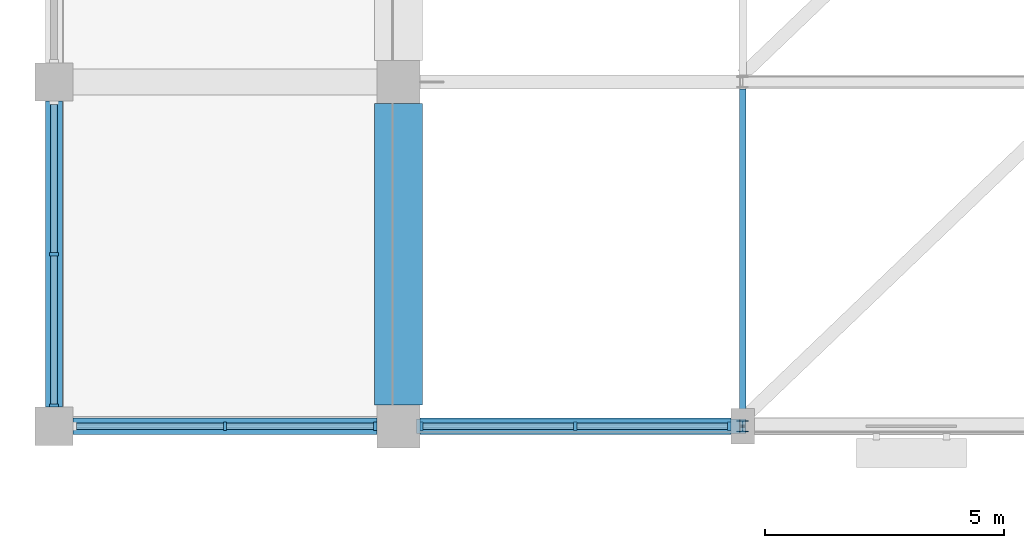
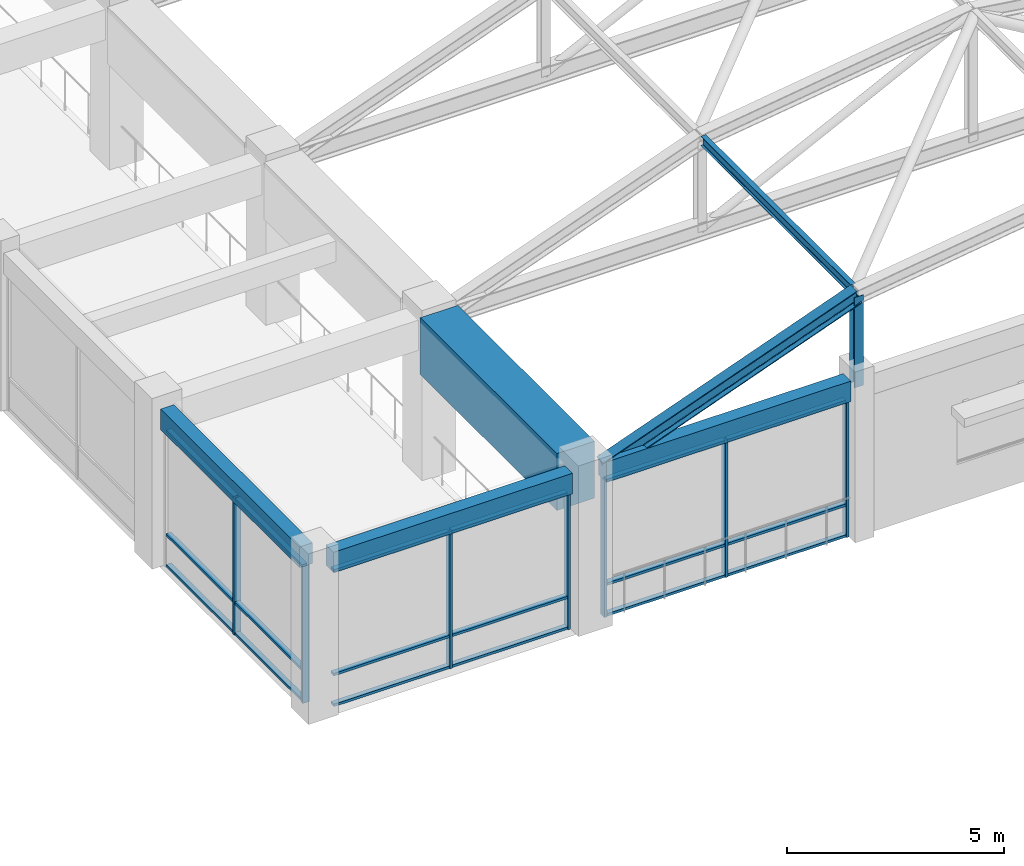
# One storey, part 7 of 75: 28 members, 4 beams, 3 elements without a shape of their own.
"""IFC4 building model written with IfcOpenShell, lengths in metres."""

from ifc_helpers import new_model, si_unit, direction, frame, origin, origin_2d, place, context, subcontext, project, spatial, rectangle, i_section, extrude, material, layer, layer_set, material_profile, profile_set, type_object, element, aggregate, save


model = new_model("IFC4")

# Units and contexts
model_context = context("Model", 3, precision=1e-05, world=origin(), true_north=direction((0.0, 1.0)))
body_context = subcontext(model_context, "Body", "Model", "MODEL_VIEW")
ifc_project = project(units=[si_unit("LENGTHUNIT", "METRE"), si_unit("AREAUNIT", "SQUARE_METRE"), si_unit("VOLUMEUNIT", "CUBIC_METRE"), si_unit("PLANEANGLEUNIT", "RADIAN"), si_unit("MASSUNIT", "GRAM", prefix="KILO")], contexts=[model_context])

# Site, building, storey
site_placement = place(None, origin())
site = spatial("IfcSite", under=ifc_project, at=site_placement, CompositionType="ELEMENT")
building_placement = place(site_placement, origin())
building = spatial("IfcBuilding", under=site, at=building_placement, Name="Cendaluz Park School", CompositionType="ELEMENT")
storey_placement = place(building_placement, frame((0.0, 0.0, 4.800048828125)))
storey = spatial("IfcBuildingStorey", under=building, at=storey_placement, Name="L01", CompositionType="ELEMENT", Elevation=4.800048828125)

# Beams
ifc_material_1 = material(Name="Concrete C40/50", Category="concrete")
ifc_material_profile_1 = material_profile(ifc_material_1, rectangle(XDim=0.35009765625, YDim=0.580078125, at=origin_2d()), Name="RC 350x580", Category="concrete")
ifc_profile_set_1 = profile_set([ifc_material_profile_1], Name="Concrete C40/50")
beam_type_1 = type_object("IfcBeamType", Name="BM-RC04", PredefinedType="LINTEL", material=ifc_profile_set_1)
beam_1_placement = place(storey_placement, frame((0.39990234375, 57.60009765625, 4.139892578125), z_axis=(1.0, 0.0, 0.0), x_axis=(0.0, 1.0, 0.0)))
element("IfcBeam", 1, at=beam_1_placement, inside=storey, type_object=beam_type_1, Name="BM-L01-BMRC04-0006", PredefinedType="LINTEL", context=body_context, shape_type="SweptSolid", body=[
    extrude(rectangle(XDim=0.35009765625, YDim=0.580078125, at=origin_2d()), origin(), (0.0, 0.0, 1.0), 6.35009765625),
])
beam_2_placement = place(storey_placement, frame((7.64990234375, 57.60009765625, 4.139892578125), z_axis=(1.0, 0.0, 0.0), x_axis=(0.0, 1.0, 0.0)))
element("IfcBeam", 2, at=beam_2_placement, inside=storey, type_object=beam_type_1, Name="BM-L01-BMRC04-0020", PredefinedType="LINTEL", context=body_context, shape_type="SweptSolid", body=[
    extrude(rectangle(XDim=0.35009765625, YDim=0.580078125, at=origin_2d()), origin(), (0.0, 0.0, 1.0), 6.5),
])
beam_3_placement = place(storey_placement, frame((0.0, 58.0, 4.139892578125), z_axis=(0.0, 1.0, 0.0), x_axis=(-1.0, 0.0, 0.0)))
element("IfcBeam", 3, at=beam_3_placement, inside=storey, type_object=beam_type_1, Name="BM-L01-BMRC04-0229", PredefinedType="LINTEL", context=body_context, shape_type="SweptSolid", body=[
    extrude(rectangle(XDim=0.35009765625, YDim=0.580078125, at=origin_2d()), origin(), (0.0, 0.0, 1.0), 6.39990234375),
])

# Curtain wall, members
ifc_material_2 = material(Name="Anodised Aluminium 6063-T6", Category="aluminium")
ifc_layer_1 = layer(ifc_material_2, 0.179931640625)
ifc_layer_set_1 = layer_set([ifc_layer_1], Name="Anodised Aluminium 6063-T6")
curtain_wall_type_1 = type_object("IfcCurtainWallType", Name="CW-127x77", PredefinedType="NOTDEFINED", material=ifc_layer_set_1)
curtain_wall_1_placement = place(storey_placement, origin())
curtain_wall_1 = element("IfcCurtainWall", 4, at=curtain_wall_1_placement, inside=storey, type_object=curtain_wall_type_1, Name="CW-L01-005", PredefinedType="NOTDEFINED")
ifc_material_profile_2 = material_profile(ifc_material_2, rectangle(XDim=0.179931640625, YDim=0.070068359375, at=origin_2d()), Name="CWM 180x70", Category="aluminium")
ifc_profile_set_2 = profile_set([ifc_material_profile_2], Name="Anodised Aluminium 6063-T6")
member_type_1 = type_object("IfcMemberType", Name="CWM-01", PredefinedType="MULLION", material=ifc_profile_set_2)
member_1_placement = place(storey_placement, frame((3.574951171875, 57.60009765625, 0.0), z_axis=(0.0, 0.0, 1.0), x_axis=(0.0, 1.0, 0.0)))
member_1 = element("IfcMember", 5, at=member_1_placement, type_object=member_type_1, Name="CP-L01-0054", PredefinedType="MULLION", context=body_context, shape_type="SweptSolid", body=[
    extrude(rectangle(XDim=0.179931640625, YDim=0.070068359375, at=origin_2d()), origin(), (0.0, 0.0, 1.0), 3.849853515625),
])
member_2_placement = place(storey_placement, frame((6.715087890625, 57.60009765625, 0.0), z_axis=(0.0, 0.0, 1.0), x_axis=(0.0, 1.0, 0.0)))
member_2 = element("IfcMember", 6, at=member_2_placement, type_object=member_type_1, Name="CP-L01-0055", PredefinedType="MULLION", context=body_context, shape_type="SweptSolid", body=[
    extrude(rectangle(XDim=0.179931640625, YDim=0.070068359375, at=origin_2d()), origin(), (0.0, 0.0, 1.0), 3.849853515625),
])

ifc_layer_2 = layer(ifc_material_2, 0.179931640625)
ifc_layer_set_2 = layer_set([ifc_layer_2], Name="Anodised Aluminium 6063-T6")
curtain_wall_type_2 = type_object("IfcCurtainWallType", Name="CW-128x77", PredefinedType="NOTDEFINED", material=ifc_layer_set_2)
curtain_wall_2_placement = place(storey_placement, origin())
curtain_wall_2 = element("IfcCurtainWall", 7, at=curtain_wall_2_placement, inside=storey, type_object=curtain_wall_type_2, Name="CW-L01-006", PredefinedType="NOTDEFINED")
member_3_placement = place(storey_placement, frame((0.0, 58.034912109375, 0.0), z_axis=(0.0, 0.0, 1.0), x_axis=(-1.0, 0.0, 0.0)))
member_3 = element("IfcMember", 8, at=member_3_placement, type_object=member_type_1, Name="CP-L01-0066", PredefinedType="MULLION", context=body_context, shape_type="SweptSolid", body=[
    extrude(rectangle(XDim=0.179931640625, YDim=0.070068359375, at=origin_2d()), origin(), (0.0, 0.0, 1.0), 3.849853515625),
])
member_4_placement = place(storey_placement, frame((0.0, 61.199951171875, 0.0), z_axis=(0.0, 0.0, 1.0), x_axis=(-1.0, 0.0, 0.0)))
member_4 = element("IfcMember", 9, at=member_4_placement, type_object=member_type_1, Name="CP-L01-0067", PredefinedType="MULLION", context=body_context, shape_type="SweptSolid", body=[
    extrude(rectangle(XDim=0.179931640625, YDim=0.070068359375, at=origin_2d()), origin(), (0.0, 0.0, 1.0), 3.849853515625),
])

ifc_layer_3 = layer(ifc_material_2, 0.179931640625)
ifc_layer_set_3 = layer_set([ifc_layer_3], Name="Anodised Aluminium 6063-T6")
curtain_wall_type_3 = type_object("IfcCurtainWallType", Name="CW-130x77", PredefinedType="NOTDEFINED", material=ifc_layer_set_3)
curtain_wall_3_placement = place(storey_placement, origin())
curtain_wall_3 = element("IfcCurtainWall", 10, at=curtain_wall_3_placement, inside=storey, type_object=curtain_wall_type_3, Name="CW-L01-013", PredefinedType="NOTDEFINED")
member_5_placement = place(storey_placement, frame((7.68505859375, 57.60009765625, 0.0), z_axis=(0.0, 0.0, 1.0), x_axis=(0.0, 1.0, 0.0)))
member_5 = element("IfcMember", 11, at=member_5_placement, type_object=member_type_1, Name="CP-L01-0157", PredefinedType="MULLION", context=body_context, shape_type="SweptSolid", body=[
    extrude(rectangle(XDim=0.179931640625, YDim=0.070068359375, at=origin_2d()), origin(), (0.0, 0.0, 1.0), 3.849853515625),
])
member_6_placement = place(storey_placement, frame((10.89990234375, 57.60009765625, 0.0), z_axis=(0.0, 0.0, 1.0), x_axis=(0.0, 1.0, 0.0)))
member_6 = element("IfcMember", 12, at=member_6_placement, type_object=member_type_1, Name="CP-L01-0158", PredefinedType="MULLION", context=body_context, shape_type="SweptSolid", body=[
    extrude(rectangle(XDim=0.179931640625, YDim=0.070068359375, at=origin_2d()), origin(), (0.0, 0.0, 1.0), 3.849853515625),
])
member_7_placement = place(storey_placement, frame((14.114990234375, 57.60009765625, 0.0), z_axis=(0.0, 0.0, 1.0), x_axis=(0.0, 1.0, 0.0)))
member_7 = element("IfcMember", 13, at=member_7_placement, type_object=member_type_1, Name="CP-L01-0159", PredefinedType="MULLION", context=body_context, shape_type="SweptSolid", body=[
    extrude(rectangle(XDim=0.179931640625, YDim=0.070068359375, at=origin_2d()), origin(), (0.0, 0.0, 1.0), 3.849853515625),
])

# Member
ifc_material_profile_3 = material_profile(ifc_material_2, rectangle(XDim=0.139892578125, YDim=0.070068359375, at=origin_2d()), Name="CWT 140x70", Category="aluminium")
ifc_profile_set_3 = profile_set([ifc_material_profile_3], Name="Anodised Aluminium 6063-T6")
member_type_2 = type_object("IfcMemberType", Name="CWT-01", PredefinedType="USERDEFINED", material=ifc_profile_set_3)
member_8_placement = place(storey_placement, frame((0.469970703125, 57.60009765625, 0.034912109375), z_axis=(1.0, 0.0, 0.0), x_axis=(0.0, 1.0, 0.0)))
member_8 = element("IfcMember", 14, at=member_8_placement, type_object=member_type_2, Name="CP-L01-0056", ObjectType="TRANSOM", PredefinedType="USERDEFINED", context=body_context, shape_type="SweptSolid", body=[
    extrude(rectangle(XDim=0.139892578125, YDim=0.070068359375, at=origin_2d()), origin(), (0.0, 0.0, 1.0), 3.070068359375),
])

member_9_placement = place(storey_placement, frame((0.469970703125, 57.60009765625, 0.89990234375), z_axis=(1.0, 0.0, 0.0), x_axis=(0.0, 1.0, 0.0)))
member_9 = element("IfcMember", 15, at=member_9_placement, type_object=member_type_2, Name="CP-L01-0057", ObjectType="TRANSOM", PredefinedType="USERDEFINED", context=body_context, shape_type="SweptSolid", body=[
    extrude(rectangle(XDim=0.139892578125, YDim=0.070068359375, at=origin_2d()), origin(), (0.0, 0.0, 1.0), 3.070068359375),
])

member_10_placement = place(storey_placement, frame((0.469970703125, 57.60009765625, 3.81494140625), z_axis=(1.0, 0.0, 0.0), x_axis=(0.0, 1.0, 0.0)))
member_10 = element("IfcMember", 16, at=member_10_placement, type_object=member_type_2, Name="CP-L01-0058", ObjectType="TRANSOM", PredefinedType="USERDEFINED", context=body_context, shape_type="SweptSolid", body=[
    extrude(rectangle(XDim=0.139892578125, YDim=0.070068359375, at=origin_2d()), origin(), (0.0, 0.0, 1.0), 3.070068359375),
])

member_11_placement = place(storey_placement, frame((3.610107421875, 57.60009765625, 0.034912109375), z_axis=(1.0, 0.0, 0.0), x_axis=(0.0, 1.0, 0.0)))
member_11 = element("IfcMember", 17, at=member_11_placement, type_object=member_type_2, Name="CP-L01-0061", ObjectType="TRANSOM", PredefinedType="USERDEFINED", context=body_context, shape_type="SweptSolid", body=[
    extrude(rectangle(XDim=0.139892578125, YDim=0.070068359375, at=origin_2d()), origin(), (0.0, 0.0, 1.0), 3.06982421875),
])

member_12_placement = place(storey_placement, frame((3.610107421875, 57.60009765625, 0.89990234375), z_axis=(1.0, 0.0, 0.0), x_axis=(0.0, 1.0, 0.0)))
member_12 = element("IfcMember", 18, at=member_12_placement, type_object=member_type_2, Name="CP-L01-0062", ObjectType="TRANSOM", PredefinedType="USERDEFINED", context=body_context, shape_type="SweptSolid", body=[
    extrude(rectangle(XDim=0.139892578125, YDim=0.070068359375, at=origin_2d()), origin(), (0.0, 0.0, 1.0), 3.06982421875),
])

member_13_placement = place(storey_placement, frame((3.610107421875, 57.60009765625, 3.81494140625), z_axis=(1.0, 0.0, 0.0), x_axis=(0.0, 1.0, 0.0)))
member_13 = element("IfcMember", 19, at=member_13_placement, type_object=member_type_2, Name="CP-L01-0063", ObjectType="TRANSOM", PredefinedType="USERDEFINED", context=body_context, shape_type="SweptSolid", body=[
    extrude(rectangle(XDim=0.139892578125, YDim=0.070068359375, at=origin_2d()), origin(), (0.0, 0.0, 1.0), 3.06982421875),
])

aggregate(curtain_wall_1, [member_1, member_2, member_8, member_9, member_10, member_11, member_12, member_13])

member_14_placement = place(storey_placement, frame((0.0, 58.070068359375, 0.034912109375), z_axis=(0.0, 1.0, 0.0), x_axis=(-1.0, 0.0, 0.0)))
member_14 = element("IfcMember", 20, at=member_14_placement, type_object=member_type_2, Name="CP-L01-0069", ObjectType="TRANSOM", PredefinedType="USERDEFINED", context=body_context, shape_type="SweptSolid", body=[
    extrude(rectangle(XDim=0.139892578125, YDim=0.070068359375, at=origin_2d()), origin(), (0.0, 0.0, 1.0), 3.094970703125),
])

member_15_placement = place(storey_placement, frame((0.0, 58.070068359375, 0.89990234375), z_axis=(0.0, 1.0, 0.0), x_axis=(-1.0, 0.0, 0.0)))
member_15 = element("IfcMember", 21, at=member_15_placement, type_object=member_type_2, Name="CP-L01-0070", ObjectType="TRANSOM", PredefinedType="USERDEFINED", context=body_context, shape_type="SweptSolid", body=[
    extrude(rectangle(XDim=0.139892578125, YDim=0.070068359375, at=origin_2d()), origin(), (0.0, 0.0, 1.0), 3.094970703125),
])

member_16_placement = place(storey_placement, frame((0.0, 58.070068359375, 3.81494140625), z_axis=(0.0, 1.0, 0.0), x_axis=(-1.0, 0.0, 0.0)))
member_16 = element("IfcMember", 22, at=member_16_placement, type_object=member_type_2, Name="CP-L01-0071", ObjectType="TRANSOM", PredefinedType="USERDEFINED", context=body_context, shape_type="SweptSolid", body=[
    extrude(rectangle(XDim=0.139892578125, YDim=0.070068359375, at=origin_2d()), origin(), (0.0, 0.0, 1.0), 3.094970703125),
])

member_17_placement = place(storey_placement, frame((0.0, 61.235107421875, 0.034912109375), z_axis=(0.0, 1.0, 0.0), x_axis=(-1.0, 0.0, 0.0)))
member_17 = element("IfcMember", 23, at=member_17_placement, type_object=member_type_2, Name="CP-L01-0074", ObjectType="TRANSOM", PredefinedType="USERDEFINED", context=body_context, shape_type="SweptSolid", body=[
    extrude(rectangle(XDim=0.139892578125, YDim=0.070068359375, at=origin_2d()), origin(), (0.0, 0.0, 1.0), 3.094970703125),
])

member_18_placement = place(storey_placement, frame((0.0, 61.235107421875, 0.89990234375), z_axis=(0.0, 1.0, 0.0), x_axis=(-1.0, 0.0, 0.0)))
member_18 = element("IfcMember", 24, at=member_18_placement, type_object=member_type_2, Name="CP-L01-0075", ObjectType="TRANSOM", PredefinedType="USERDEFINED", context=body_context, shape_type="SweptSolid", body=[
    extrude(rectangle(XDim=0.139892578125, YDim=0.070068359375, at=origin_2d()), origin(), (0.0, 0.0, 1.0), 3.094970703125),
])

member_19_placement = place(storey_placement, frame((0.0, 61.235107421875, 3.81494140625), z_axis=(0.0, 1.0, 0.0), x_axis=(-1.0, 0.0, 0.0)))
member_19 = element("IfcMember", 25, at=member_19_placement, type_object=member_type_2, Name="CP-L01-0076", ObjectType="TRANSOM", PredefinedType="USERDEFINED", context=body_context, shape_type="SweptSolid", body=[
    extrude(rectangle(XDim=0.139892578125, YDim=0.070068359375, at=origin_2d()), origin(), (0.0, 0.0, 1.0), 3.094970703125),
])

aggregate(curtain_wall_2, [member_3, member_4, member_14, member_15, member_16, member_17, member_18, member_19])

member_20_placement = place(storey_placement, frame((7.719970703125, 57.60009765625, 0.034912109375), z_axis=(1.0, 0.0, 0.0), x_axis=(0.0, 1.0, 0.0)))
member_20 = element("IfcMember", 26, at=member_20_placement, type_object=member_type_2, Name="CP-L01-0160", ObjectType="TRANSOM", PredefinedType="USERDEFINED", context=body_context, shape_type="SweptSolid", body=[
    extrude(rectangle(XDim=0.139892578125, YDim=0.070068359375, at=origin_2d()), origin(), (0.0, 0.0, 1.0), 3.14501953125),
])

member_21_placement = place(storey_placement, frame((7.719970703125, 57.60009765625, 0.89990234375), z_axis=(1.0, 0.0, 0.0), x_axis=(0.0, 1.0, 0.0)))
member_21 = element("IfcMember", 27, at=member_21_placement, type_object=member_type_2, Name="CP-L01-0161", ObjectType="TRANSOM", PredefinedType="USERDEFINED", context=body_context, shape_type="SweptSolid", body=[
    extrude(rectangle(XDim=0.139892578125, YDim=0.070068359375, at=origin_2d()), origin(), (0.0, 0.0, 1.0), 3.14501953125),
])

member_22_placement = place(storey_placement, frame((7.719970703125, 57.60009765625, 3.81494140625), z_axis=(1.0, 0.0, 0.0), x_axis=(0.0, 1.0, 0.0)))
member_22 = element("IfcMember", 28, at=member_22_placement, type_object=member_type_2, Name="CP-L01-0162", ObjectType="TRANSOM", PredefinedType="USERDEFINED", context=body_context, shape_type="SweptSolid", body=[
    extrude(rectangle(XDim=0.139892578125, YDim=0.070068359375, at=origin_2d()), origin(), (0.0, 0.0, 1.0), 3.14501953125),
])

member_23_placement = place(storey_placement, frame((10.93505859375, 57.60009765625, 0.034912109375), z_axis=(1.0, 0.0, 0.0), x_axis=(0.0, 1.0, 0.0)))
member_23 = element("IfcMember", 29, at=member_23_placement, type_object=member_type_2, Name="CP-L01-0165", ObjectType="TRANSOM", PredefinedType="USERDEFINED", context=body_context, shape_type="SweptSolid", body=[
    extrude(rectangle(XDim=0.139892578125, YDim=0.070068359375, at=origin_2d()), origin(), (0.0, 0.0, 1.0), 3.14501953125),
])

member_24_placement = place(storey_placement, frame((10.93505859375, 57.60009765625, 0.89990234375), z_axis=(1.0, 0.0, 0.0), x_axis=(0.0, 1.0, 0.0)))
member_24 = element("IfcMember", 30, at=member_24_placement, type_object=member_type_2, Name="CP-L01-0166", ObjectType="TRANSOM", PredefinedType="USERDEFINED", context=body_context, shape_type="SweptSolid", body=[
    extrude(rectangle(XDim=0.139892578125, YDim=0.070068359375, at=origin_2d()), origin(), (0.0, 0.0, 1.0), 3.14501953125),
])

member_25_placement = place(storey_placement, frame((10.93505859375, 57.60009765625, 3.81494140625), z_axis=(1.0, 0.0, 0.0), x_axis=(0.0, 1.0, 0.0)))
member_25 = element("IfcMember", 31, at=member_25_placement, type_object=member_type_2, Name="CP-L01-0167", ObjectType="TRANSOM", PredefinedType="USERDEFINED", context=body_context, shape_type="SweptSolid", body=[
    extrude(rectangle(XDim=0.139892578125, YDim=0.070068359375, at=origin_2d()), origin(), (0.0, 0.0, 1.0), 3.14501953125),
])

aggregate(curtain_wall_3, [member_5, member_6, member_7, member_20, member_21, member_22, member_23, member_24, member_25])

# Members
ifc_material_3 = material(Name="Steel S355", Category="steel")
ifc_material_profile_4 = material_profile(ifc_material_3, i_section(OverallWidth=0.300048828125, OverallDepth=0.39990234375, WebThickness=0.013916015625, FlangeThickness=0.02392578125, FilletRadius=0.027099609375, at=origin_2d()), Name="HEB 400", Category="steel")
ifc_profile_set_4 = profile_set([ifc_material_profile_4], Name="Steel S355")
member_type_3 = type_object("IfcMemberType", Name="MB-CH01", PredefinedType="CHORD", material=ifc_profile_set_4)
member_26_placement = place(storey_placement, frame((7.64990234375, 57.60009765625, 4.219970703125), z_axis=(0.939102267455, 0.0, 0.343637790793), x_axis=(0.0, 1.0, 0.0)))
element("IfcMember", 32, at=member_26_placement, inside=storey, type_object=member_type_3, Name="MB-L01-MBCH01-0001", PredefinedType="CHORD", context=body_context, shape_type="SweptSolid", body=[
    extrude(i_section(OverallWidth=0.300048828125, OverallDepth=0.39990234375, WebThickness=0.013916015625, FlangeThickness=0.02392578125, FilletRadius=0.027099609375, at=origin_2d()), origin(), (0.0, 0.0, 1.0), 7.187744140625),
])
ifc_material_profile_5 = material_profile(ifc_material_3, i_section(OverallWidth=0.135009765625, OverallDepth=0.27001953125, WebThickness=0.007080078125, FlangeThickness=0.010009765625, FilletRadius=0.014892578125, at=origin_2d()), Name="IPE 270", Category="steel")
ifc_profile_set_5 = profile_set([ifc_material_profile_5], Name="Steel S355")
member_type_4 = type_object("IfcMemberType", Name="MB-PR01", PredefinedType="PURLIN", material=ifc_profile_set_5)
member_27_placement = place(storey_placement, frame((14.39990234375, 57.75, 6.73486328125), z_axis=(0.0, 1.0, 0.0), x_axis=(-1.0, 0.0, 0.0)))
element("IfcMember", 33, at=member_27_placement, inside=storey, type_object=member_type_4, Name="MB-L01-MBPR01-0060", PredefinedType="PURLIN", context=body_context, shape_type="SweptSolid", body=[
    extrude(i_section(OverallWidth=0.135009765625, OverallDepth=0.27001953125, WebThickness=0.007080078125, FlangeThickness=0.010009765625, FilletRadius=0.014892578125, at=origin_2d()), origin(), (0.0, 0.0, 1.0), 6.89990234375),
])
ifc_material_profile_6 = material_profile(ifc_material_3, i_section(OverallWidth=0.239990234375, OverallDepth=0.22998046875, WebThickness=0.008056640625, FlangeThickness=0.011962890625, FilletRadius=0.02099609375, at=origin_2d()), Name="HEA 240", Category="steel")
ifc_profile_set_6 = profile_set([ifc_material_profile_6], Name="Steel S355")
member_type_5 = type_object("IfcMemberType", Name="MST-01", PredefinedType="STRUT", material=ifc_profile_set_6)
member_28_placement = place(storey_placement, frame((14.39990234375, 57.60009765625, 4.14990234375), z_axis=(0.0, 0.0, 1.0), x_axis=(1.0, 0.0, 0.0)))
element("IfcMember", 34, at=member_28_placement, inside=storey, type_object=member_type_5, Name="MB-L01-MBST01-0005", PredefinedType="STRUT", context=body_context, shape_type="SweptSolid", body=[
    extrude(i_section(OverallWidth=0.239990234375, OverallDepth=0.22998046875, WebThickness=0.008056640625, FlangeThickness=0.011962890625, FilletRadius=0.02099609375, at=origin_2d()), origin(), (0.0, 0.0, 1.0), 2.5400390625),
])

# Beam
ifc_material_profile_7 = material_profile(ifc_material_1, rectangle(XDim=1.0, YDim=1.60009765625, at=origin_2d()), Name="RC 1000x1600", Category="concrete")
ifc_profile_set_7 = profile_set([ifc_material_profile_7], Name="Concrete C40/50")
beam_type_2 = type_object("IfcBeamType", Name="TG-RC01", PredefinedType="BEAM", material=ifc_profile_set_7)
beam_4_placement = place(storey_placement, frame((7.199951171875, 58.050048828125, 3.820068359375), z_axis=(0.0, 1.0, 0.0), x_axis=(-1.0, 0.0, 0.0)))
element("IfcBeam", 35, at=beam_4_placement, inside=storey, type_object=beam_type_2, Name="Barrel Vault Collector Girder BM-L01-TGRC01-0241", PredefinedType="BEAM", context=body_context, shape_type="SweptSolid", body=[
    extrude(rectangle(XDim=1.0, YDim=1.60009765625, at=origin_2d()), origin(), (0.0, 0.0, 1.0), 6.300048828125),
])

save(model, "model.ifc")
